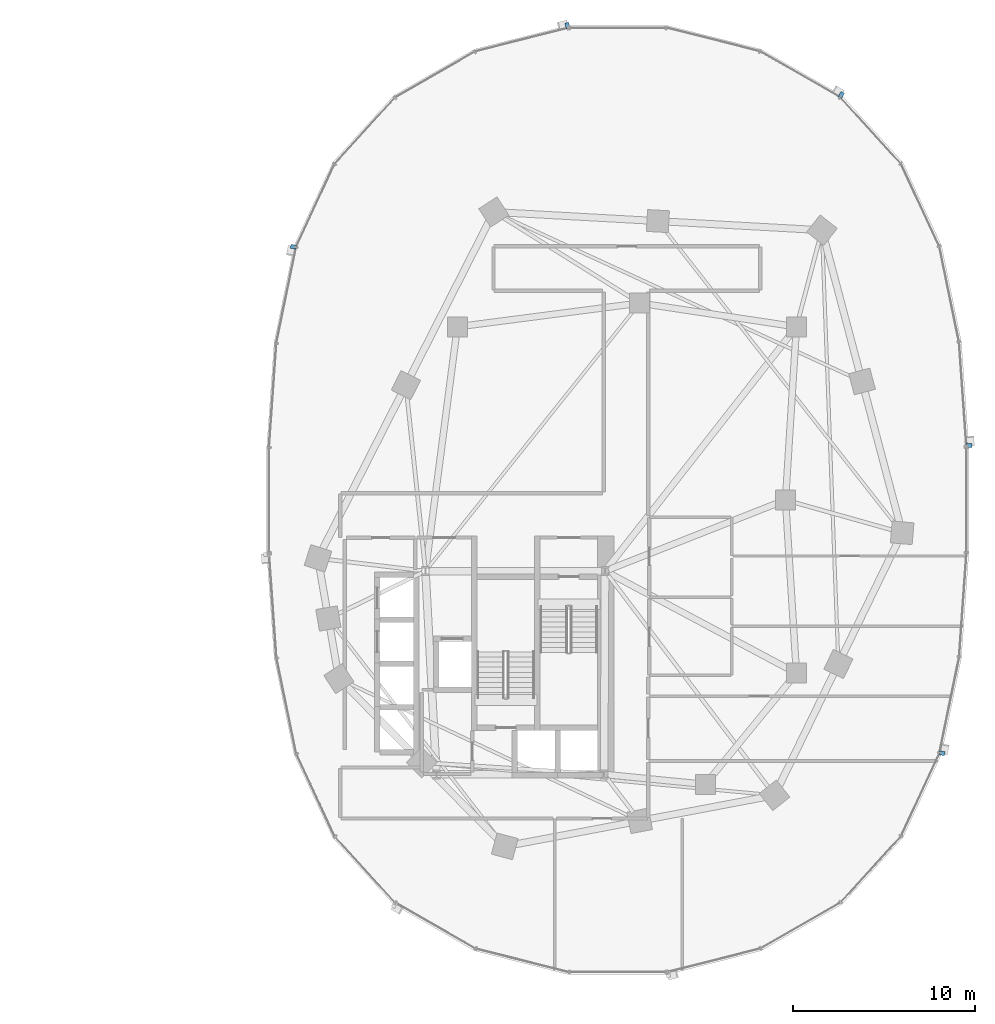
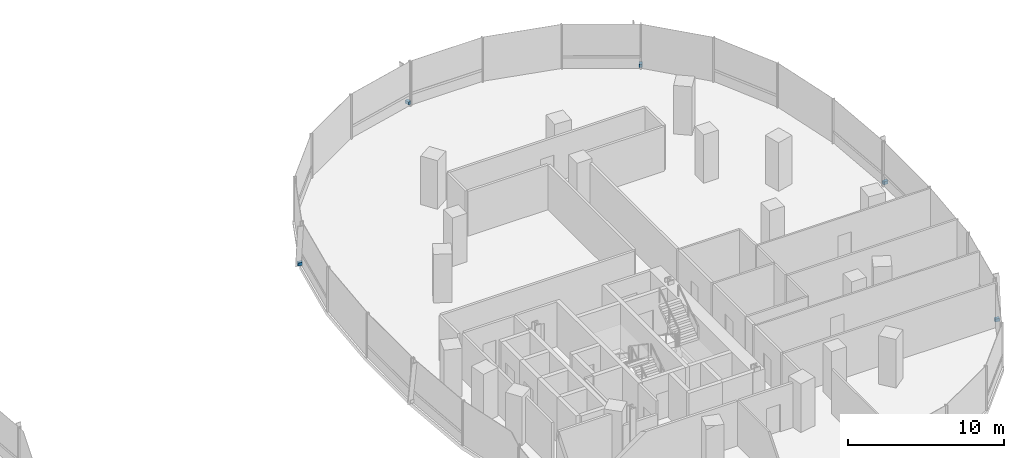
# One storey, part 16 of 21: 5 discrete accessories.
"""IFC4 building model written with IfcOpenShell, lengths in metres."""

from ifc_helpers import new_model, si_unit, direction, frame, origin, origin_2d, place, context, subcontext, project, spatial, rectangle, extrude, material, type_object, element, save


model = new_model("IFC4")

# Units and contexts
model_context = context("Model", 3, precision=1e-05, world=origin(), true_north=direction((0.0, 1.0)))
body_context = subcontext(model_context, "Body", "Model", "MODEL_VIEW")
ifc_project = project(units=[si_unit("LENGTHUNIT", "METRE"), si_unit("AREAUNIT", "SQUARE_METRE"), si_unit("VOLUMEUNIT", "CUBIC_METRE"), si_unit("PLANEANGLEUNIT", "RADIAN"), si_unit("MASSUNIT", "GRAM", prefix="KILO"), si_unit("THERMODYNAMICTEMPERATUREUNIT", "KELVIN"), si_unit("POWERUNIT", "WATT")], contexts=[model_context])

# Site, building, storey
site_placement = place(None, origin())
site = spatial("IfcSite", under=ifc_project, at=site_placement, CompositionType="ELEMENT")
building_placement = place(site_placement, origin())
building = spatial("IfcBuilding", under=site, at=building_placement, Name="Cundina Bronze Exchange", CompositionType="ELEMENT")
storey_placement = place(building_placement, frame((0.0, 0.0, 31.60009765625)))
storey = spatial("IfcBuildingStorey", under=building, at=storey_placement, Name="L07", CompositionType="ELEMENT", Elevation=31.60009765625)

# Discrete accessories
ifc_material = material(Name="Anodised Bronze Aluminium 6063-T6", Category="aluminium")
discrete_accessory_type = type_object("IfcDiscreteAccessoryType", Name="ACC-BRK-FIN", PredefinedType="BRACKET", material=ifc_material)
for number, where, z_axis, x_axis, name in (
    (1, (51.264404296875, 2.986083984375, 0.10009765625), (0.0, 0.0, 1.0), (-0.070278787473, 0.997527389113, 0.0), "L07 Fin Support Bracket 1"),
    (2, (44.259521484375, 22.21875, 0.10009765625), (0.0, 0.0, 1.0), (-0.867105478933, 0.498124571171, 0.0), "L07 Fin Support Bracket 5"),
    (3, (29.23974609375, 26.03173828125, 0.10009765625), (0.0, 0.0, 1.0), (-0.969488149345, -0.245138182011, 0.0), "L07 Fin Support Bracket 1"),
    (4, (14.211669921875, 13.8896484375, 0.10009765625), (0.0, 0.0, 1.0), (-0.201419845156, -0.979505000486, 0.0), "L07 Fin Support Bracket 5"),
    (5, (49.788330078125, -13.8896484375, 0.10009765625), (0.0, 0.0, 1.0), (0.201419845156, 0.979505000486, 0.0), "L07 Fin Support Bracket 5"),
):
    element("IfcDiscreteAccessory", number, at=place(storey_placement, frame(where, z_axis=z_axis, x_axis=x_axis)), inside=storey, type_object=discrete_accessory_type, Name=name, PredefinedType="BRACKET", context=body_context, shape_type="SweptSolid", body=[
        extrude(rectangle(XDim=0.219970703125, YDim=0.320068359375, at=origin_2d()), origin(), (0.0, 0.0, 1.0), 0.239990234375),
    ])

save(model, "model.ifc")
